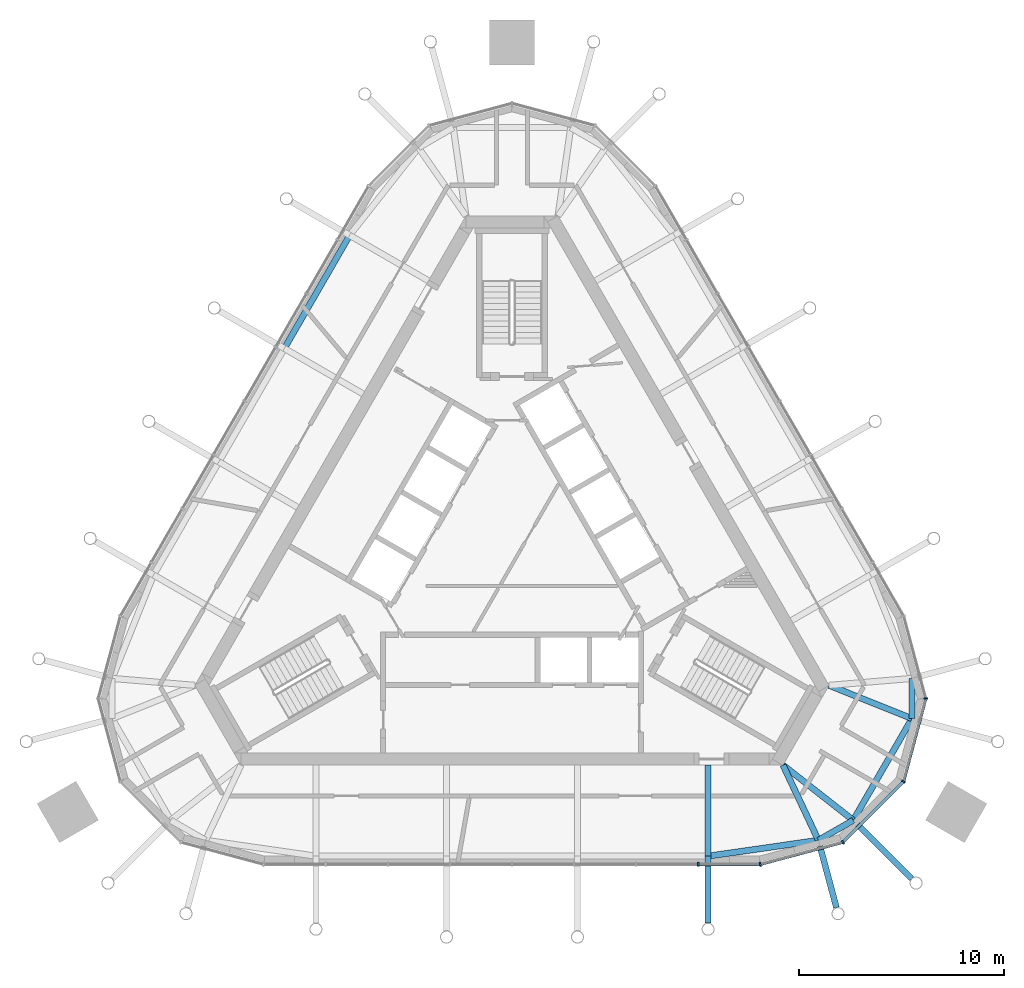
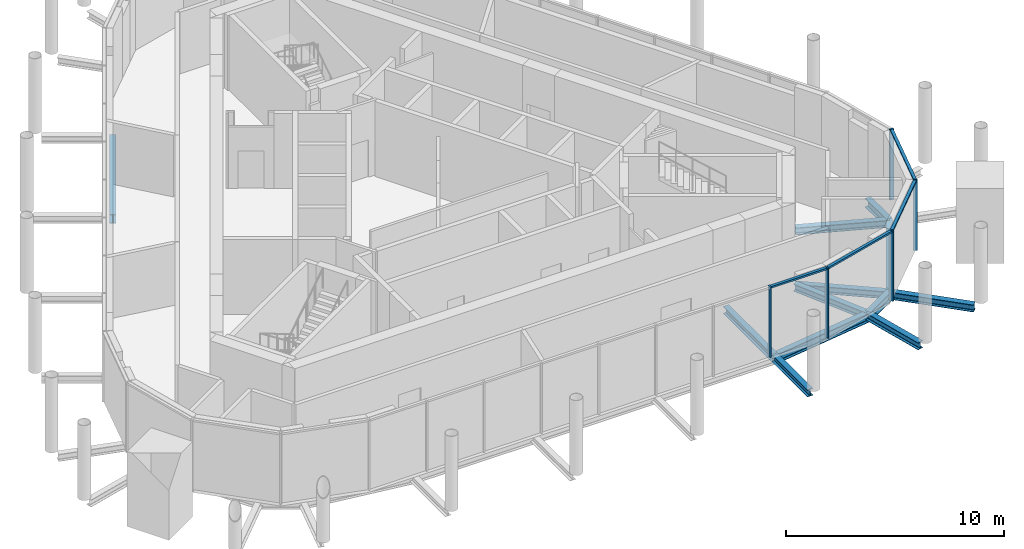
# One storey, part 3 of 11: 12 beams, 9 members, 2 elements without a shape of their own.
"""IFC4 building model written with IfcOpenShell, lengths in metres."""

from ifc_helpers import new_model, si_unit, direction, frame, origin, origin_2d, place, context, subcontext, project, spatial, rectangle, i_section, extrude, material, material_profile, profile_set, type_object, element, aggregate, save


model = new_model("IFC4")

# Units and contexts
model_context = context("Model", 3, precision=1e-05, world=origin(), true_north=direction((0.0, 1.0)))
body_context = subcontext(model_context, "Body", "Model", "MODEL_VIEW")
ifc_project = project(units=[si_unit("LENGTHUNIT", "METRE"), si_unit("AREAUNIT", "SQUARE_METRE"), si_unit("VOLUMEUNIT", "CUBIC_METRE"), si_unit("PLANEANGLEUNIT", "RADIAN"), si_unit("MASSUNIT", "GRAM", prefix="KILO")], contexts=[model_context])

# Site, building, storey
site_placement = place(None, origin())
site = spatial("IfcSite", under=ifc_project, at=site_placement, CompositionType="ELEMENT")
building_placement = place(site_placement, origin())
building = spatial("IfcBuilding", under=site, at=building_placement, Name="Mestral Congress Tower", CompositionType="ELEMENT")
storey_placement = place(building_placement, frame((0.0, 0.0, 331.800048828125)))
storey = spatial("IfcBuildingStorey", under=building, at=storey_placement, Name="L77", CompositionType="ELEMENT", Elevation=331.800048828125)

# Curtain wall, members
ifc_material_1 = material(Name="Glazed ceramic", Category="masonry")
curtain_wall_type = type_object("IfcCurtainWallType", Name="Facade plant louvre screen", PredefinedType="USERDEFINED", material=ifc_material_1)
placement = place(storey_placement, origin())
curtain_wall_1 = element("IfcCurtainWall", 1, at=placement, inside=storey, type_object=curtain_wall_type, Name="Plant louvre screen corner 1", ObjectType="CURTAIN WALL", PredefinedType="USERDEFINED")
ifc_material_2 = material(Name="Anodised aluminium", Category="aluminium")
ifc_material_profile_1 = material_profile(ifc_material_2, rectangle(XDim=0.199951171875, YDim=0.080078125, at=origin_2d()), Name="CW6 mullion 200 x 80")
ifc_profile_set_1 = profile_set([ifc_material_profile_1], Name="Anodised aluminium")
member_type_1 = type_object("IfcMemberType", Name="Facade plant louvre screen mullion", PredefinedType="MULLION", material=ifc_profile_set_1)
member_1_placement = place(storey_placement, frame((12.1376953125, -15.10009765625, 0.0), z_axis=(0.0, 0.0, 1.0), x_axis=(0.258819045103, -0.965925826289, 0.0)))
member_1 = element("IfcMember", 2, at=member_1_placement, type_object=member_type_1, Name="Facade plant louvre screen mullion", PredefinedType="MULLION", context=body_context, shape_type="SweptSolid", body=[
    extrude(rectangle(XDim=0.199951171875, YDim=0.080078125, at=origin_2d()), origin(), (0.0, 0.0, 1.0), 3.949951171875),
])
member_2_placement = place(storey_placement, frame((16.17626953125, -14.017822265625, 0.0), z_axis=(0.0, 0.0, 1.0), x_axis=(0.5, -0.866025403784, 0.0)))
member_2 = element("IfcMember", 3, at=member_2_placement, type_object=member_type_1, Name="Facade plant louvre screen mullion", PredefinedType="MULLION", context=body_context, shape_type="SweptSolid", body=[
    extrude(rectangle(XDim=0.199951171875, YDim=0.080078125, at=origin_2d()), origin(), (0.0, 0.0, 1.0), 3.949951171875),
])
member_3_placement = place(storey_placement, frame((19.142333984375, -11.0517578125, 0.0), z_axis=(0.0, 0.0, 1.0), x_axis=(0.866025403784, -0.5, 0.0)))
member_3 = element("IfcMember", 4, at=member_3_placement, type_object=member_type_1, Name="Facade plant louvre screen mullion", PredefinedType="MULLION", context=body_context, shape_type="SweptSolid", body=[
    extrude(rectangle(XDim=0.199951171875, YDim=0.080078125, at=origin_2d()), origin(), (0.0, 0.0, 1.0), 3.949951171875),
])
member_4_placement = place(storey_placement, frame((20.227783203125, -7.0, 0.0), z_axis=(0.0, 0.0, 1.0), x_axis=(1.0, 0.0, 0.0)))
member_4 = element("IfcMember", 5, at=member_4_placement, type_object=member_type_1, Name="Facade plant louvre screen mullion", PredefinedType="MULLION", context=body_context, shape_type="SweptSolid", body=[
    extrude(rectangle(XDim=0.199951171875, YDim=0.080078125, at=origin_2d()), origin(), (0.0, 0.0, 1.0), 3.949951171875),
])

# Curtain wall, member
curtain_wall_2 = element("IfcCurtainWall", 6, at=placement, inside=storey, type_object=curtain_wall_type, Name="Plant louvre screen side 6", ObjectType="CURTAIN WALL", PredefinedType="USERDEFINED")
member_5_placement = place(storey_placement, frame((9.103271484375, -15.10009765625, 0.0), z_axis=(0.0, 0.0, 1.0), x_axis=(0.0, -1.0, 0.0)))
member_5 = element("IfcMember", 7, at=member_5_placement, type_object=member_type_1, Name="Facade plant louvre screen mullion", PredefinedType="MULLION", context=body_context, shape_type="SweptSolid", body=[
    extrude(rectangle(XDim=0.199951171875, YDim=0.080078125, at=origin_2d()), origin(), (0.0, 0.0, 1.0), 3.949951171875),
])

# Member
ifc_material_profile_2 = material_profile(ifc_material_2, rectangle(XDim=0.14990234375, YDim=0.10009765625, at=origin_2d()), Name="CW6 transom 150 x 100")
ifc_profile_set_2 = profile_set([ifc_material_profile_2], Name="Anodised aluminium")
member_type_2 = type_object("IfcMemberType", Name="Facade plant louvre screen transom", PredefinedType="USERDEFINED", material=ifc_profile_set_2)
member_6_placement = place(storey_placement, frame((12.17626953125, -15.089599609375, 3.89990234375), z_axis=(0.965932905177, 0.258792624888, 0.0), x_axis=(-0.258792624888, 0.965932905177, 0.0)))
member_6 = element("IfcMember", 8, at=member_6_placement, type_object=member_type_2, Name="Facade plant louvre screen transom", ObjectType="TRANSOM", PredefinedType="USERDEFINED", context=body_context, shape_type="SweptSolid", body=[
    extrude(rectangle(XDim=0.14990234375, YDim=0.10009765625, at=origin_2d()), origin(), (0.0, 0.0, 1.0), 4.100830078125),
])

member_7_placement = place(storey_placement, frame((16.204345703125, -13.989501953125, 3.89990234375), z_axis=(0.707136447306, 0.707077113823, 0.0), x_axis=(-0.707077113823, 0.707136447306, 0.0)))
member_7 = element("IfcMember", 9, at=member_7_placement, type_object=member_type_2, Name="Facade plant louvre screen transom", ObjectType="TRANSOM", PredefinedType="USERDEFINED", context=body_context, shape_type="SweptSolid", body=[
    extrude(rectangle(XDim=0.14990234375, YDim=0.10009765625, at=origin_2d()), origin(), (0.0, 0.0, 1.0), 4.11474609375),
])

member_8_placement = place(storey_placement, frame((19.152587890625, -11.01318359375, 3.89990234375), z_axis=(0.258807262034, 0.965928983476, 0.0), x_axis=(-0.965928983476, 0.258807262034, 0.0)))
member_8 = element("IfcMember", 10, at=member_8_placement, type_object=member_type_2, Name="Facade plant louvre screen transom", ObjectType="TRANSOM", PredefinedType="USERDEFINED", context=body_context, shape_type="SweptSolid", body=[
    extrude(rectangle(XDim=0.14990234375, YDim=0.10009765625, at=origin_2d()), origin(), (0.0, 0.0, 1.0), 4.11474609375),
])

aggregate(curtain_wall_1, [member_1, member_2, member_3, member_4, member_6, member_7, member_8])

member_9_placement = place(storey_placement, frame((9.143310546875, -15.10009765625, 3.89990234375), z_axis=(1.0, 0.0, 0.0), x_axis=(0.0, 1.0, 0.0)))
member_9 = element("IfcMember", 11, at=member_9_placement, type_object=member_type_2, Name="Facade plant louvre screen transom", ObjectType="TRANSOM", PredefinedType="USERDEFINED", context=body_context, shape_type="SweptSolid", body=[
    extrude(rectangle(XDim=0.14990234375, YDim=0.10009765625, at=origin_2d()), origin(), (0.0, 0.0, 1.0), 2.954345703125),
])

aggregate(curtain_wall_2, [member_5, member_9])

# Beams
ifc_material_3 = material(Name="Steel S355", Category="steel")
ifc_material_profile_3 = material_profile(ifc_material_3, i_section(OverallWidth=0.300048828125, OverallDepth=0.39990234375, WebThickness=0.013427734375, FlangeThickness=0.02392578125, FilletRadius=0.027099609375, at=origin_2d()), Name="HEB 400")
ifc_profile_set_3 = profile_set([ifc_material_profile_3], Name="Steel S355")
beam_type_1 = type_object("IfcBeamType", Name="Floor beam HEB 400 S355", PredefinedType="BEAM", material=ifc_profile_set_3)
beam_1_placement = place(storey_placement, frame((9.587158203125, -10.25, -0.449951171875), z_axis=(0.0, -1.0, 0.0), x_axis=(1.0, 0.0, 0.0)))
element("IfcBeam", 12, at=beam_1_placement, inside=storey, type_object=beam_type_1, Name="BM-L77-KR00", PredefinedType="BEAM", context=body_context, shape_type="SweptSolid", body=[
    extrude(i_section(OverallWidth=0.300048828125, OverallDepth=0.39990234375, WebThickness=0.013427734375, FlangeThickness=0.02392578125, FilletRadius=0.027099609375, at=origin_2d()), origin(), (0.0, 0.0, 1.0), 4.449951171875),
])
for number, where, z_axis, x_axis, name in (
    (13, (15.501953125, -6.35009765625, -0.449951171875), (0.928078801871, -0.372383857757, 0.0), (0.372383857757, 0.928078801871, 0.0), "BM-L77-KR21"),
    (14, (13.250244140625, -10.25, -0.449951171875), (0.786533746493, -0.617547298292, 0.0), (0.617547298292, 0.786533746493, 0.0), "BM-L77-KR22"),
):
    element("IfcBeam", number, at=place(storey_placement, frame(where, z_axis=z_axis, x_axis=x_axis)), inside=storey, type_object=beam_type_1, Name=name, PredefinedType="BEAM", context=body_context, shape_type="SweptSolid", body=[
        extrude(i_section(OverallWidth=0.300048828125, OverallDepth=0.39990234375, WebThickness=0.013427734375, FlangeThickness=0.02392578125, FilletRadius=0.027099609375, at=origin_2d()), origin(), (0.0, 0.0, 1.0), 4.364501953125),
    ])
beam_2_placement = place(storey_placement, frame((13.250244140625, -10.25, -0.449951171875), z_axis=(0.425828884258, -0.904803714256, 0.0), x_axis=(0.904803714256, 0.425828884258, 0.0)))
element("IfcBeam", 15, at=beam_2_placement, inside=storey, type_object=beam_type_1, Name="BM-L77-KR23", PredefinedType="BEAM", context=body_context, shape_type="SweptSolid", body=[
    extrude(i_section(OverallWidth=0.300048828125, OverallDepth=0.39990234375, WebThickness=0.013427734375, FlangeThickness=0.02392578125, FilletRadius=0.027099609375, at=origin_2d()), origin(), (0.0, 0.0, 1.0), 4.060791015625),
])
beam_3_placement = place(storey_placement, frame((9.587158203125, -17.96875, -0.449951171875), z_axis=(0.0, 1.0, 0.0), x_axis=(-1.0, 0.0, 0.0)))
element("IfcBeam", 16, at=beam_3_placement, inside=storey, type_object=beam_type_1, Name="BM-L77-KT-C5-S04", PredefinedType="BEAM", context=body_context, shape_type="SweptSolid", body=[
    extrude(i_section(OverallWidth=0.300048828125, OverallDepth=0.39990234375, WebThickness=0.013427734375, FlangeThickness=0.02392578125, FilletRadius=0.027099609375, at=origin_2d()), origin(), (0.0, 0.0, 1.0), 3.268798828125),
])
beam_4_placement = place(storey_placement, frame((19.538818359375, -15.80078125, -0.449951171875), z_axis=(-0.707137007821, 0.70707655326, 0.0), x_axis=(-0.70707655326, -0.707137007821, 0.0)))
element("IfcBeam", 17, at=beam_4_placement, inside=storey, type_object=beam_type_1, Name="BM-L77-KT-C5-SE1", PredefinedType="BEAM", context=body_context, shape_type="SweptSolid", body=[
    extrude(i_section(OverallWidth=0.300048828125, OverallDepth=0.39990234375, WebThickness=0.013427734375, FlangeThickness=0.02392578125, FilletRadius=0.027099609375, at=origin_2d()), origin(), (0.0, 0.0, 1.0), 4.038330078125),
])
beam_5_placement = place(storey_placement, frame((15.86181640625, -17.21728515625, -0.449951171875), z_axis=(-0.258812449793, 0.965927593473, 0.0), x_axis=(-0.965927593473, -0.258812449793, 0.0)))
element("IfcBeam", 18, at=beam_5_placement, inside=storey, type_object=beam_type_1, Name="BM-L77-KT-C5-S05", PredefinedType="BEAM", context=body_context, shape_type="SweptSolid", body=[
    extrude(i_section(OverallWidth=0.300048828125, OverallDepth=0.39990234375, WebThickness=0.013427734375, FlangeThickness=0.02392578125, FilletRadius=0.027099609375, at=origin_2d()), origin(), (0.0, 0.0, 1.0), 3.4091796875),
])
ifc_material_profile_4 = material_profile(ifc_material_3, i_section(OverallWidth=0.300048828125, OverallDepth=0.5, WebThickness=0.014404296875, FlangeThickness=0.028076171875, FilletRadius=0.027099609375, at=origin_2d()), Name="HEB 500")
ifc_profile_set_4 = profile_set([ifc_material_profile_4], Name="Steel S355")
beam_type_2 = type_object("IfcBeamType", Name="Floor beam HEB 500 S355", PredefinedType="BEAM", material=ifc_profile_set_4)
beam_6_placement = place(storey_placement, frame((-11.130859375, 10.120849609375, -0.5), z_axis=(0.500011397576, 0.866018823291, 0.0), x_axis=(-0.866018823291, 0.500011397576, 0.0)))
element("IfcBeam", 19, at=beam_6_placement, inside=storey, type_object=beam_type_2, Name="BM-L77-KG10", PredefinedType="BEAM", context=body_context, shape_type="SweptSolid", body=[
    extrude(i_section(OverallWidth=0.300048828125, OverallDepth=0.5, WebThickness=0.014404296875, FlangeThickness=0.028076171875, FilletRadius=0.027099609375, at=origin_2d()), origin(), (0.0, 0.0, 1.0), 6.387451171875),
])
beam_7_placement = place(storey_placement, frame((19.548583984375, -6.010498046875, -0.5), z_axis=(0.001988067642, -0.999998023792, 0.0), x_axis=(0.999998023792, 0.001988067642, 0.0)))
element("IfcBeam", 20, at=beam_7_placement, inside=storey, type_object=beam_type_2, Name="BM-L77-KG20", PredefinedType="BEAM", context=body_context, shape_type="SweptSolid", body=[
    extrude(i_section(OverallWidth=0.300048828125, OverallDepth=0.5, WebThickness=0.014404296875, FlangeThickness=0.028076171875, FilletRadius=0.027099609375, at=origin_2d()), origin(), (0.0, 0.0, 1.0), 1.96484375),
])
beam_8_placement = place(storey_placement, frame((19.552490234375, -7.975341796875, -0.5), z_axis=(-0.499996189405, -0.866027603821, 0.0), x_axis=(0.866027603821, -0.499996189405, 0.0)))
element("IfcBeam", 21, at=beam_8_placement, inside=storey, type_object=beam_type_2, Name="BM-L77-KG21", PredefinedType="BEAM", context=body_context, shape_type="SweptSolid", body=[
    extrude(i_section(OverallWidth=0.300048828125, OverallDepth=0.5, WebThickness=0.014404296875, FlangeThickness=0.028076171875, FilletRadius=0.027099609375, at=origin_2d()), origin(), (0.0, 0.0, 1.0), 5.73876953125),
])
beam_9_placement = place(storey_placement, frame((16.68310546875, -12.9453125, -0.5), z_axis=(-0.86703245351, -0.498251667895, 0.0), x_axis=(0.498251667895, -0.86703245351, 0.0)))
element("IfcBeam", 22, at=beam_9_placement, inside=storey, type_object=beam_type_2, Name="BM-L77-KG22", PredefinedType="BEAM", context=body_context, shape_type="SweptSolid", body=[
    extrude(i_section(OverallWidth=0.300048828125, OverallDepth=0.5, WebThickness=0.014404296875, FlangeThickness=0.028076171875, FilletRadius=0.027099609375, at=origin_2d()), origin(), (0.0, 0.0, 1.0), 1.96484375),
])
beam_10_placement = place(storey_placement, frame((14.9794921875, -13.92431640625, -0.5), z_axis=(-0.989812798939, -0.1423749383, 0.0), x_axis=(0.1423749383, -0.989812798939, 0.0)))
element("IfcBeam", 23, at=beam_10_placement, inside=storey, type_object=beam_type_2, Name="BM-L77-KG23", PredefinedType="BEAM", context=body_context, shape_type="SweptSolid", body=[
    extrude(i_section(OverallWidth=0.300048828125, OverallDepth=0.5, WebThickness=0.014404296875, FlangeThickness=0.028076171875, FilletRadius=0.027099609375, at=origin_2d()), origin(), (0.0, 0.0, 1.0), 5.44775390625),
])

save(model, "model.ifc")
